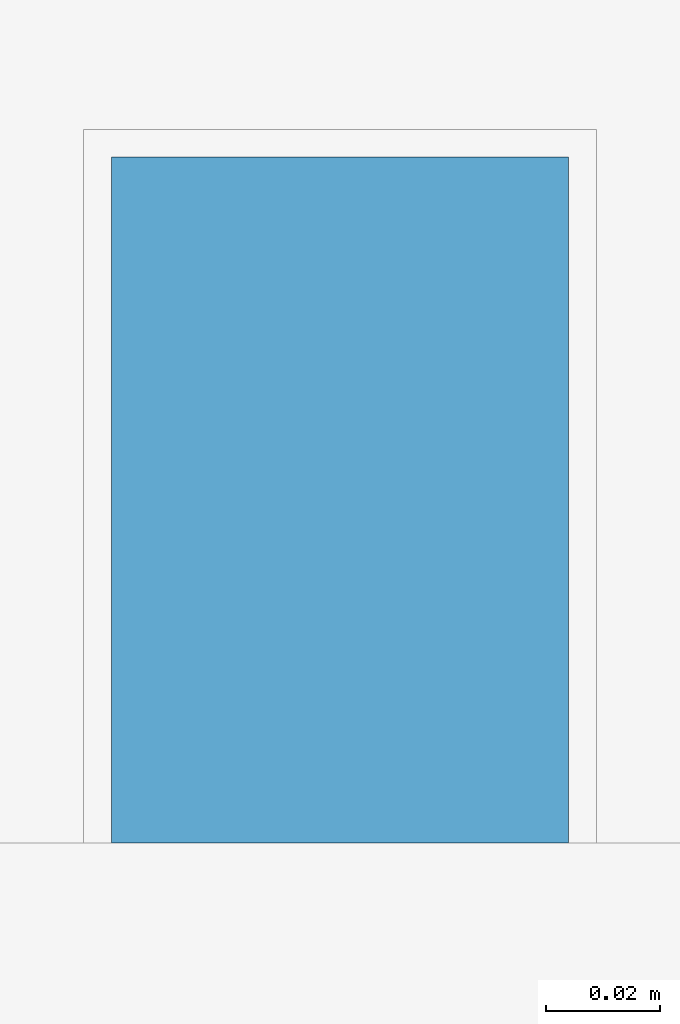
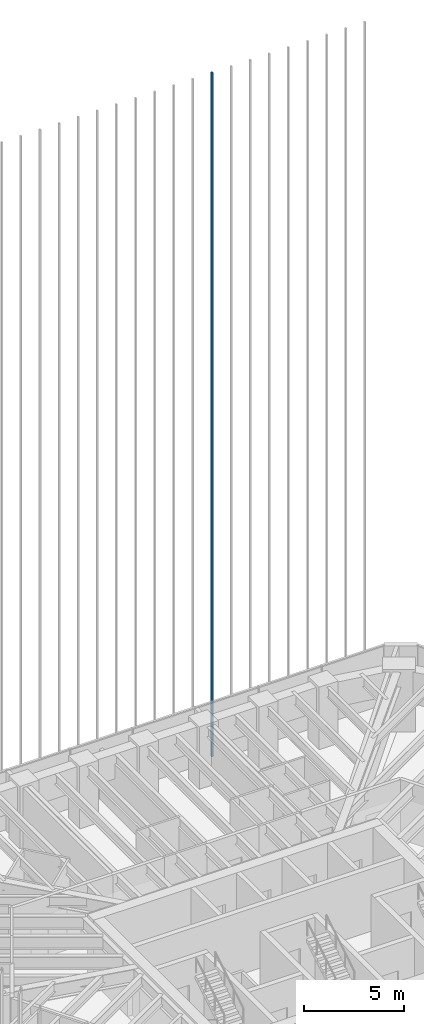
# One storey, part 95 of 127: 1 member, 1 element without a shape of its own.
"""IFC4 building model written with IfcOpenShell, lengths in metres."""

import ifcopenshell
import ifcopenshell.guid

model = None  # the IFC model being written
_history = None  # IfcOwnerHistory: only IFC2X3 demands one
_inside = {}  # id of a spatial element -> (the spatial element, [elements in it])
_under = {}  # id of a project, library or spatial element -> (it, [spatial elements below it])
_declared = {}  # id of a project -> (the project, [libraries it declares])
_typed = {}  # id of a type object -> (the type object, [elements of that type])
_made_of = {}  # id of a material, layer set ... -> (it, [elements and type objects made of it])


def new_model(schema):
    """Start an empty IFC model of exactly this schema.

    Asked for "IFC4X3", IfcOpenShell would pick the latest addendum, in which some entities
    have other attributes; the version numbers below select the first issue.
    IFC2X3 requires an IfcOwnerHistory on every rooted entity: one is made here for all.
    """
    global model, _history
    if schema == "IFC4X3":
        model = ifcopenshell.file(schema_version=(4, 3, 0, 0))
    else:
        model = ifcopenshell.file(schema=schema)
    _inside.clear()
    _under.clear()
    _declared.clear()
    _typed.clear()
    _made_of.clear()
    _history = None
    if model.schema == "IFC2X3":
        org = make("IfcOrganization", Name="unknown")
        user = make(
            "IfcPersonAndOrganization",
            ThePerson=make("IfcPerson", FamilyName="unknown"),
            TheOrganization=org,
        )
        app = make(
            "IfcApplication",
            ApplicationDeveloper=org,
            Version="unknown",
            ApplicationFullName="unknown",
            ApplicationIdentifier="unknown",
        )
        _history = make(
            "IfcOwnerHistory",
            OwningUser=user,
            OwningApplication=app,
            ChangeAction="ADDED",
            CreationDate=0,
        )
    return model


def make(cls, **values):
    """One entity of the class cls with the attributes given. An attribute that is None is left unset."""
    return model.create_entity(
        cls, **{name: value for name, value in values.items() if value is not None}
    )


def rooted(cls, **values):
    """An entity with a GlobalId (a new one), such as an element, a storey or a relation."""
    return make(cls, GlobalId=ifcopenshell.guid.new(), OwnerHistory=_history, **values)


def si_unit(unit_type, name, prefix=None):
    """IfcSIUnit, for example si_unit("LENGTHUNIT", "METRE", prefix="MILLI")."""
    return make("IfcSIUnit", UnitType=unit_type, Prefix=prefix, Name=name)


def assignment(units):
    """IfcUnitAssignment: the units of a project."""
    return None if units is None else make("IfcUnitAssignment", Units=units)


def point(xyz):
    """IfcCartesianPoint."""
    return None if xyz is None else make("IfcCartesianPoint", Coordinates=xyz)


def direction(xyz):
    """IfcDirection."""
    return None if xyz is None else make("IfcDirection", DirectionRatios=xyz)


def frame(location, z_axis=None, x_axis=None):
    """IfcAxis2Placement3D, a coordinate frame: its origin and axes. An axis left out is left unset."""
    return make(
        "IfcAxis2Placement3D",
        Location=point(location),
        Axis=direction(z_axis),
        RefDirection=direction(x_axis),
    )


def frame_2d(location, x_axis=None):
    """IfcAxis2Placement2D, a coordinate frame in the plane: its origin and x axis."""
    return make(
        "IfcAxis2Placement2D", Location=point(location), RefDirection=direction(x_axis)
    )


def origin():
    """The frame at (0, 0, 0) with its axes left unset."""
    return frame((0.0, 0.0, 0.0))


def origin_2d():
    """The frame at (0, 0) in the plane with its x axis left unset."""
    return frame_2d((0.0, 0.0))


def place(relative_to, where):
    """IfcLocalPlacement: puts the frame where relative to a parent placement (None: the world)."""
    return make(
        "IfcLocalPlacement", PlacementRelTo=relative_to, RelativePlacement=where
    )


def context(
    kind, dimensions, precision=None, world=None, true_north=None, identifier=None
):
    """IfcGeometricRepresentationContext, for example the 3D "Model" context."""
    return make(
        "IfcGeometricRepresentationContext",
        ContextIdentifier=identifier,
        ContextType=kind,
        CoordinateSpaceDimension=dimensions,
        Precision=precision,
        WorldCoordinateSystem=world,
        TrueNorth=true_north,
    )


def subcontext(parent, identifier, kind, view, scale=None):
    """IfcGeometricRepresentationSubContext, for example "Body" below "Model"."""
    return make(
        "IfcGeometricRepresentationSubContext",
        ContextIdentifier=identifier,
        ContextType=kind,
        ParentContext=parent,
        TargetScale=scale,
        TargetView=view,
    )


def project(units=None, contexts=None):
    """IfcProject with its units and contexts."""
    return rooted(
        "IfcProject",
        Name="project",
        RepresentationContexts=contexts,
        UnitsInContext=assignment(units),
    )


def spatial(cls, under=None, at=None, **own):
    """A site, building, storey or space (cls), placed at a placement, below another one or the project."""
    s = rooted(cls, ObjectPlacement=at, **own)
    if under is not None:
        _under.setdefault(under.id(), (under, []))[1].append(s)
    return s


def profile(cls, at=None, kind="AREA", **sizes):
    """A parametric profile (cls). Its sizes go by their IFC names, for example OverallWidth=200.0."""
    return make(cls, ProfileType=kind, Position=at, **sizes)


def rectangle(**sizes):
    """IfcRectangleProfileDef."""
    return profile("IfcRectangleProfileDef", **sizes)


def extrude(swept, where, along, depth):
    """IfcExtrudedAreaSolid: the profile swept, set in the frame where, extruded along a direction by depth."""
    return make(
        "IfcExtrudedAreaSolid",
        SweptArea=swept,
        Position=where,
        ExtrudedDirection=direction(along),
        Depth=depth,
    )


def shape(context_of_items, identifier, shape_type, items):
    """IfcShapeRepresentation: the items that make up one representation, for example the "Body"."""
    return make(
        "IfcShapeRepresentation",
        ContextOfItems=context_of_items,
        RepresentationIdentifier=identifier,
        RepresentationType=shape_type,
        Items=items,
    )


def material(Name=None, Category=None):
    """IfcMaterial."""
    return make("IfcMaterial", Name=Name, Category=Category)


def material_profile(
    of_material, cross_section, Name=None, Category=None, Priority=None
):
    """IfcMaterialProfile: a cross section and its material."""
    return make(
        "IfcMaterialProfile",
        Name=Name,
        Material=of_material,
        Profile=cross_section,
        Priority=Priority,
        Category=Category,
    )


def profile_set(profiles, Name=None, composite=None):
    """IfcMaterialProfileSet."""
    return make(
        "IfcMaterialProfileSet",
        Name=Name,
        MaterialProfiles=profiles,
        CompositeProfile=composite,
    )


def made_of(thing, what):
    """Note that an element or type object is made of a material, layer set ...; save() writes the relation."""
    if what is not None:
        _made_of.setdefault(what.id(), (what, []))[1].append(thing)
    return thing


def type_object(cls, material=None, **own):
    """A type object (cls), such as IfcWallType, which elements share."""
    return made_of(rooted(cls, **own), material)


def element(
    cls,
    number,
    at=None,
    inside=None,
    cuts=None,
    type_object=None,
    material=None,
    context=None,
    identifier="Body",
    shape_type=None,
    held_by="IfcProductDefinitionShape",
    body=None,
    shapes=None,
    **own,
):
    """One element of the class cls, such as IfcWall. Its Tag is "e" and its number.

    at: its placement. inside: the storey or other place that contains it. cuts: it is an
    opening in that element (IfcRelVoidsElement). A single representation is given by context,
    identifier, shape_type and body (its items); several are given by shapes. held_by: the class
    of the entity that holds the representations. save() writes the other relations.
    """
    e = rooted(cls, Tag="e%d" % number, ObjectPlacement=at, **own)
    if body is not None:
        shapes = [shape(context, identifier, shape_type, body)]
    if shapes is not None:
        e.Representation = make(held_by, Representations=shapes)
    if inside is not None:
        _inside.setdefault(inside.id(), (inside, []))[1].append(e)
    if cuts is not None:
        rooted(
            "IfcRelVoidsElement", RelatingBuildingElement=cuts, RelatedOpeningElement=e
        )
    if type_object is not None:
        _typed.setdefault(type_object.id(), (type_object, []))[1].append(e)
    return made_of(e, material)


def aggregate(whole, parts):
    """IfcRelAggregates: a whole, such as a stair, and the parts it consists of."""
    return rooted("IfcRelAggregates", RelatingObject=whole, RelatedObjects=parts)


def save(model, path):
    """Write the relations noted so far, then the file.

    IfcRelAggregates (storeys below a building ...), IfcRelContainedInSpatialStructure (elements
    in a storey), IfcRelDefinesByType, IfcRelAssociatesMaterial and IfcRelDeclares: one each for
    every whole, place, type object, material and project.
    """
    for whole, parts in _under.values():
        aggregate(whole, parts)
    for where, things in _inside.values():
        rooted(
            "IfcRelContainedInSpatialStructure",
            RelatedElements=things,
            RelatingStructure=where,
        )
    for kind, things in _typed.values():
        rooted("IfcRelDefinesByType", RelatedObjects=things, RelatingType=kind)
    for what, things in _made_of.values():
        rooted("IfcRelAssociatesMaterial", RelatedObjects=things, RelatingMaterial=what)
    for by, libraries in _declared.values():
        rooted("IfcRelDeclares", RelatingContext=by, RelatedDefinitions=libraries)
    model.write(path)


model = new_model("IFC4")

# Units and contexts
model_context = context("Model", 3, precision=1e-05, world=origin(), true_north=direction((0.0, 1.0)))
body_context = subcontext(model_context, "Body", "Model", "MODEL_VIEW")
ifc_project = project(units=[si_unit("LENGTHUNIT", "METRE"), si_unit("AREAUNIT", "SQUARE_METRE"), si_unit("VOLUMEUNIT", "CUBIC_METRE"), si_unit("PLANEANGLEUNIT", "RADIAN"), si_unit("MASSUNIT", "GRAM", prefix="KILO")], contexts=[model_context])

# Site, building, storey
site_placement = place(None, origin())
site = spatial("IfcSite", under=ifc_project, at=site_placement, CompositionType="ELEMENT")
building_placement = place(site_placement, origin())
building = spatial("IfcBuilding", under=site, at=building_placement, Name="Sandreach Pilgrim Tower", CompositionType="ELEMENT")
storey_placement = place(building_placement, frame((0.0, 0.0, 257.0)))
storey = spatial("IfcBuildingStorey", under=building, at=storey_placement, Name="L64", CompositionType="ELEMENT", Elevation=257.0)

# Curtain wall, member
ifc_material_1 = material(Name="Aluminium framed curtain wall", Category="aluminium")
curtain_wall_type = type_object("IfcCurtainWallType", Name="Suite tower curtain wall", PredefinedType="NOTDEFINED", material=ifc_material_1)
curtain_wall_placement = place(storey_placement, origin())
curtain_wall = element("IfcCurtainWall", 1, at=curtain_wall_placement, inside=storey, type_object=curtain_wall_type, Name="CW-4 L64 N", PredefinedType="NOTDEFINED")
ifc_material_2 = material(Name="Extruded terracotta on aluminium core", Category="masonry")
ifc_material_profile = material_profile(ifc_material_2, rectangle(XDim=0.080078125, YDim=0.1201171875, at=origin_2d()), Name="TBN 80X120")
ifc_profile_set = profile_set([ifc_material_profile], Name="Extruded terracotta on aluminium core")
member_type = type_object("IfcMemberType", Name="Terracotta baguette north", PredefinedType="USERDEFINED", material=ifc_profile_set)
member_placement = place(storey_placement, frame((6.6025390625, 20.1865234375, 0.0), z_axis=(0.0, 0.0, 1.0), x_axis=(1.0, 0.0, 0.0)))
member = element("IfcMember", 2, at=member_placement, type_object=member_type, Name="Baguette Z4 N21", ObjectType="BAGUETTE", PredefinedType="USERDEFINED", context=body_context, shape_type="SweptSolid", body=[
    extrude(rectangle(XDim=0.080078125, YDim=0.1201171875, at=origin_2d()), origin(), (0.0, 0.0, 1.0), 41.639892578125),
])
aggregate(curtain_wall, [member])

save(model, "model.ifc")
